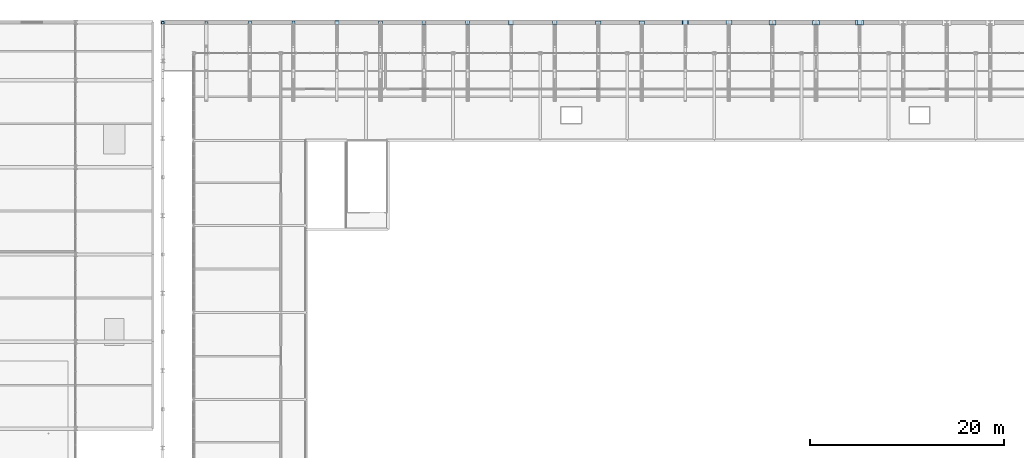
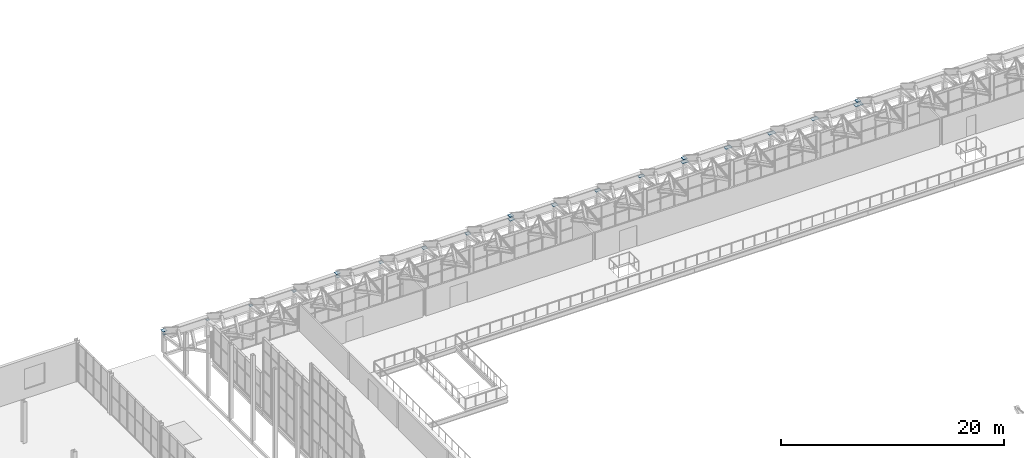
# One storey, part 108 of 134: 22 plates.
"""IFC4 building model written with IfcOpenShell, lengths in metres."""

from ifc_helpers import new_model, si_unit, direction, frame, origin, origin_2d, place, context, subcontext, project, spatial, rectangle, extrude, material, layer, layer_set, type_object, element, save


model = new_model("IFC4")

# Units and contexts
model_context = context("Model", 3, precision=1e-05, world=origin(), true_north=direction((0.0, 1.0)))
body_context = subcontext(model_context, "Body", "Model", "MODEL_VIEW")
ifc_project = project(units=[si_unit("LENGTHUNIT", "METRE"), si_unit("AREAUNIT", "SQUARE_METRE"), si_unit("VOLUMEUNIT", "CUBIC_METRE"), si_unit("PLANEANGLEUNIT", "RADIAN"), si_unit("MASSUNIT", "GRAM", prefix="KILO")], contexts=[model_context])

# Site, building, storey
site_placement = place(None, origin())
site = spatial("IfcSite", under=ifc_project, at=site_placement, CompositionType="ELEMENT")
building_placement = place(site_placement, origin())
building = spatial("IfcBuilding", under=site, at=building_placement, Name="Cazmaro Siding Exhibition Halls", CompositionType="ELEMENT")
storey_placement = place(building_placement, frame((0.0, 0.0, 12.0)))
storey = spatial("IfcBuildingStorey", under=building, at=storey_placement, Name="L02", CompositionType="ELEMENT", Elevation=12.0)

# Plates
ifc_material_1 = material(Name="Steel ASTM A572 Grade 50", Category="steel")
ifc_layer_1 = layer(ifc_material_1, 0.013916015625)
ifc_layer_set_1 = layer_set([ifc_layer_1], Name="Steel ASTM A572 Grade 50")
plate_type_1 = type_object("IfcPlateType", Name="CP-01", PredefinedType="SHEET", material=ifc_layer_set_1)
for number, where, z_axis, x_axis, name in (
    (1, (45.0, 123.949951171875, 1.94287109375), (0.0, 0.0, 1.0), (1.0, 0.0, 0.0), "Space frame vault springing end-cap plate CP-01 node TN-01"),
    (2, (49.5, 123.949951171875, 1.94287109375), (0.0, 0.0, 1.0), (1.0, 0.0, 0.0), "Space frame vault springing end-cap plate CP-01 node TN-01"),
):
    element("IfcPlate", number, at=place(storey_placement, frame(where, z_axis=z_axis, x_axis=x_axis)), inside=storey, type_object=plate_type_1, Name=name, PredefinedType="SHEET", context=body_context, shape_type="SweptSolid", body=[
        extrude(rectangle(XDim=0.260009765625, YDim=0.260009765625, at=origin_2d()), origin(), (0.0, 0.0, 1.0), 0.013916015625),
    ])
ifc_material_2 = material(Name="Steel ASTM A572 Grade 50", Category="steel")
ifc_layer_2 = layer(ifc_material_2, 0.02001953125)
ifc_layer_set_2 = layer_set([ifc_layer_2], Name="Steel ASTM A572 Grade 50")
plate_type_2 = type_object("IfcPlateType", Name="CP-02", PredefinedType="SHEET", material=ifc_layer_set_2)
for number, where, z_axis, x_axis, name in (
    (3, (54.0, 123.949951171875, 1.93994140625), (0.0, 0.0, 1.0), (1.0, 0.0, 0.0), "Space frame vault springing end-cap plate CP-02 node TN-01"),
    (4, (58.5, 123.949951171875, 1.93994140625), (0.0, 0.0, 1.0), (1.0, 0.0, 0.0), "Space frame vault springing end-cap plate CP-02 node TN-01"),
):
    element("IfcPlate", number, at=place(storey_placement, frame(where, z_axis=z_axis, x_axis=x_axis)), inside=storey, type_object=plate_type_2, Name=name, PredefinedType="SHEET", context=body_context, shape_type="SweptSolid", body=[
        extrude(rectangle(XDim=0.320068359375, YDim=0.320068359375, at=origin_2d()), origin(), (0.0, 0.0, 1.0), 0.02001953125),
    ])
ifc_material_3 = material(Name="Steel ASTM A572 Grade 50", Category="steel")
ifc_layer_3 = layer(ifc_material_3, 0.02001953125)
ifc_layer_set_3 = layer_set([ifc_layer_3], Name="Steel ASTM A572 Grade 50")
plate_type_3 = type_object("IfcPlateType", Name="CP-03", PredefinedType="SHEET", material=ifc_layer_set_3)
for number, where, z_axis, x_axis, name in (
    (5, (63.0, 123.949951171875, 1.93994140625), (0.0, 0.0, 1.0), (1.0, 0.0, 0.0), "Space frame vault springing end-cap plate CP-03 node TN-01"),
    (6, (67.5, 123.949951171875, 1.93994140625), (0.0, 0.0, 1.0), (1.0, 0.0, 0.0), "Space frame vault springing end-cap plate CP-03 node TN-01"),
):
    element("IfcPlate", number, at=place(storey_placement, frame(where, z_axis=z_axis, x_axis=x_axis)), inside=storey, type_object=plate_type_3, Name=name, PredefinedType="SHEET", context=body_context, shape_type="SweptSolid", body=[
        extrude(rectangle(XDim=0.389892578125, YDim=0.389892578125, at=origin_2d()), origin(), (0.0, 0.0, 1.0), 0.02001953125),
    ])
ifc_material_4 = material(Name="Steel ASTM A572 Grade 50", Category="steel")
ifc_layer_4 = layer(ifc_material_4, 0.0390625)
ifc_layer_set_4 = layer_set([ifc_layer_4], Name="Steel ASTM A572 Grade 50")
plate_type_4 = type_object("IfcPlateType", Name="CP-04", PredefinedType="SHEET", material=ifc_layer_set_4)
for number, where, z_axis, x_axis, name in (
    (7, (45.0, 124.0, 2.300537109375), (0.0, 0.0, 1.0), (1.0, 0.0, 0.0), "HSS column top end-cap plate CP-04"),
    (8, (63.0, 124.0, 2.300537109375), (0.0, 0.0, 1.0), (1.0, 0.0, 0.0), "HSS column top end-cap plate CP-04"),
    (9, (81.0, 124.0, 2.300537109375), (0.0, 0.0, 1.0), (1.0, 0.0, 0.0), "HSS column top end-cap plate CP-04"),
    (10, (99.0, 124.0, 2.300537109375), (0.0, 0.0, 1.0), (1.0, 0.0, 0.0), "HSS column top end-cap plate CP-04"),
    (11, (117.0, 124.0, 2.300537109375), (0.0, 0.0, 1.0), (1.0, 0.0, 0.0), "HSS column top end-cap plate CP-04"),
    (12, (72.0, 123.949951171875, 1.930419921875), (0.0, 0.0, 1.0), (1.0, 0.0, 0.0), "Space frame vault springing end-cap plate CP-04 node TN-01"),
    (13, (76.5, 123.949951171875, 1.930419921875), (0.0, 0.0, 1.0), (1.0, 0.0, 0.0), "Space frame vault springing end-cap plate CP-04 node TN-01"),
):
    element("IfcPlate", number, at=place(storey_placement, frame(where, z_axis=z_axis, x_axis=x_axis)), inside=storey, type_object=plate_type_4, Name=name, PredefinedType="SHEET", context=body_context, shape_type="SweptSolid", body=[
        extrude(rectangle(XDim=0.43994140625, YDim=0.43994140625, at=origin_2d()), origin(), (0.0, 0.0, 1.0), 0.0390625),
    ])
ifc_material_5 = material(Name="Steel ASTM A572 Grade 50", Category="steel")
ifc_layer_5 = layer(ifc_material_5, 0.049072265625)
ifc_layer_set_5 = layer_set([ifc_layer_5], Name="Steel ASTM A572 Grade 50")
plate_type_5 = type_object("IfcPlateType", Name="CP-05", PredefinedType="SHEET", material=ifc_layer_set_5)
for number, where, z_axis, x_axis, name in (
    (14, (81.0, 123.949951171875, 1.92529296875), (0.0, 0.0, 1.0), (1.0, 0.0, 0.0), "Space frame vault springing end-cap plate CP-05 node TN-01"),
    (15, (85.5, 123.949951171875, 1.92529296875), (0.0, 0.0, 1.0), (1.0, 0.0, 0.0), "Space frame vault springing end-cap plate CP-05 node TN-01"),
):
    element("IfcPlate", number, at=place(storey_placement, frame(where, z_axis=z_axis, x_axis=x_axis)), inside=storey, type_object=plate_type_5, Name=name, PredefinedType="SHEET", context=body_context, shape_type="SweptSolid", body=[
        extrude(rectangle(XDim=0.5, YDim=0.5, at=origin_2d()), origin(), (0.0, 0.0, 1.0), 0.049072265625),
    ])
ifc_material_6 = material(Name="Steel ASTM A572 Grade 50", Category="steel")
ifc_layer_6 = layer(ifc_material_6, 0.05908203125)
ifc_layer_set_6 = layer_set([ifc_layer_6], Name="Steel ASTM A572 Grade 50")
plate_type_6 = type_object("IfcPlateType", Name="CP-06", PredefinedType="SHEET", material=ifc_layer_set_6)
for number, where, z_axis, x_axis, name in (
    (16, (90.0, 123.949951171875, 1.92041015625), (0.0, 0.0, 1.0), (1.0, 0.0, 0.0), "Space frame vault springing end-cap plate CP-06 node TN-01"),
    (17, (94.5, 123.949951171875, 1.92041015625), (0.0, 0.0, 1.0), (1.0, 0.0, 0.0), "Space frame vault springing end-cap plate CP-06 node TN-01"),
):
    element("IfcPlate", number, at=place(storey_placement, frame(where, z_axis=z_axis, x_axis=x_axis)), inside=storey, type_object=plate_type_6, Name=name, PredefinedType="SHEET", context=body_context, shape_type="SweptSolid", body=[
        extrude(rectangle(XDim=0.56005859375, YDim=0.3798828125, at=origin_2d()), origin(), (0.0, 0.0, 1.0), 0.05908203125),
    ])
ifc_material_7 = material(Name="Steel ASTM A572 Grade 50", Category="steel")
ifc_layer_7 = layer(ifc_material_7, 0.069091796875)
ifc_layer_set_7 = layer_set([ifc_layer_7], Name="Steel ASTM A572 Grade 50")
plate_type_7 = type_object("IfcPlateType", Name="CP-07", PredefinedType="SHEET", material=ifc_layer_set_7)
for number, where, z_axis, x_axis, name in (
    (18, (99.0, 123.949951171875, 1.91552734375), (0.0, 0.0, 1.0), (1.0, 0.0, 0.0), "Space frame vault springing end-cap plate CP-07 node TN-01"),
    (19, (103.5, 123.949951171875, 1.91552734375), (0.0, 0.0, 1.0), (1.0, 0.0, 0.0), "Space frame vault springing end-cap plate CP-07 node TN-01"),
):
    element("IfcPlate", number, at=place(storey_placement, frame(where, z_axis=z_axis, x_axis=x_axis)), inside=storey, type_object=plate_type_7, Name=name, PredefinedType="SHEET", context=body_context, shape_type="SweptSolid", body=[
        extrude(rectangle(XDim=0.639892578125, YDim=0.419921875, at=origin_2d()), origin(), (0.0, 0.0, 1.0), 0.069091796875),
    ])
ifc_material_8 = material(Name="Steel ASTM A572 Grade 50", Category="steel")
ifc_layer_8 = layer(ifc_material_8, 0.033935546875)
ifc_layer_set_8 = layer_set([ifc_layer_8], Name="Steel ASTM A572 Grade 50")
plate_type_8 = type_object("IfcPlateType", Name="CP-08", PredefinedType="SHEET", material=ifc_layer_set_8)
for number, where, z_axis, x_axis, name in (
    (20, (108.0, 123.949951171875, 1.93310546875), (0.0, 0.0, 1.0), (1.0, 0.0, 0.0), "Space frame vault springing end-cap plate CP-08 node TN-01"),
    (21, (112.5, 123.949951171875, 1.93310546875), (0.0, 0.0, 1.0), (1.0, 0.0, 0.0), "Space frame vault springing end-cap plate CP-08 node TN-01"),
):
    element("IfcPlate", number, at=place(storey_placement, frame(where, z_axis=z_axis, x_axis=x_axis)), inside=storey, type_object=plate_type_8, Name=name, PredefinedType="SHEET", context=body_context, shape_type="SweptSolid", body=[
        extrude(rectangle(XDim=0.699951171875, YDim=0.4599609375, at=origin_2d()), origin(), (0.0, 0.0, 1.0), 0.033935546875),
    ])
ifc_material_9 = material(Name="Steel ASTM A572 Grade 50", Category="steel")
ifc_layer_9 = layer(ifc_material_9, 0.0439453125)
ifc_layer_set_9 = layer_set([ifc_layer_9], Name="Steel ASTM A572 Grade 50")
plate_type_9 = type_object("IfcPlateType", Name="CP-09", PredefinedType="SHEET", material=ifc_layer_set_9)
plate_placement = place(storey_placement, frame((117.0, 123.949951171875, 1.927978515625), z_axis=(0.0, 0.0, 1.0), x_axis=(1.0, 0.0, 0.0)))
element("IfcPlate", 22, at=plate_placement, inside=storey, type_object=plate_type_9, Name="Space frame vault springing end-cap plate CP-09 node TN-01", PredefinedType="SHEET", context=body_context, shape_type="SweptSolid", body=[
    extrude(rectangle(XDim=0.800048828125, YDim=0.52001953125, at=origin_2d()), origin(), (0.0, 0.0, 1.0), 0.0439453125),
])

save(model, "model.ifc")
